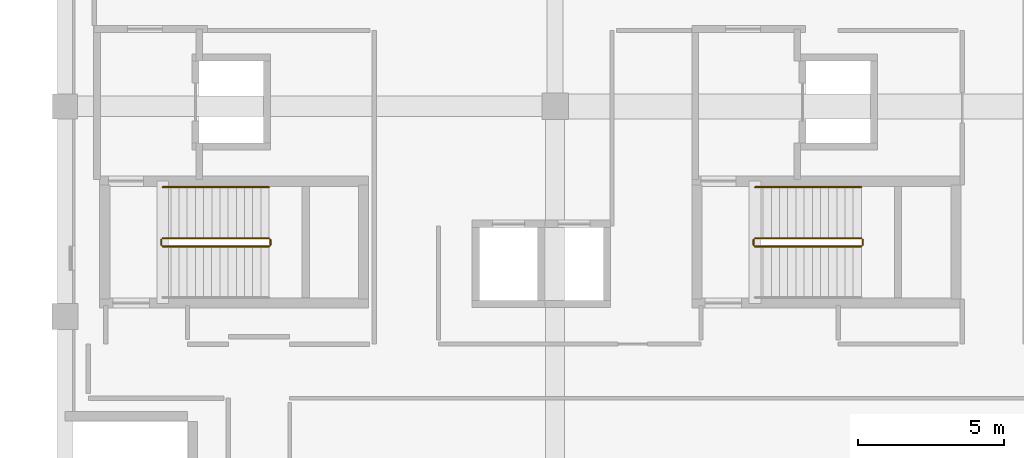
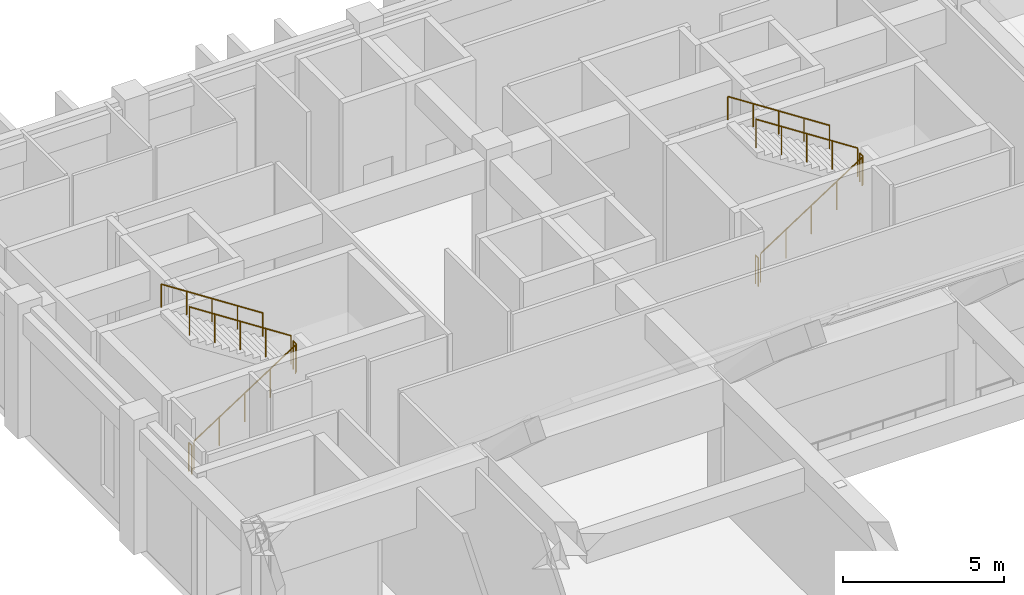
# One storey, part 98 of 103: 10 railings.
"""IFC4 building model written with IfcOpenShell, lengths in metres."""

from ifc_helpers import new_model, si_unit, direction, frame, origin, origin_2d, place, context, subcontext, project, spatial, circle, extrude, material, type_object, element, save


model = new_model("IFC4")

# Units and contexts
model_context = context("Model", 3, precision=1e-05, world=origin(), true_north=direction((0.0, 1.0)))
body_context = subcontext(model_context, "Body", "Model", "MODEL_VIEW")
ifc_project = project(units=[si_unit("LENGTHUNIT", "METRE"), si_unit("AREAUNIT", "SQUARE_METRE"), si_unit("VOLUMEUNIT", "CUBIC_METRE"), si_unit("PLANEANGLEUNIT", "RADIAN"), si_unit("MASSUNIT", "GRAM", prefix="KILO")], contexts=[model_context])

# Site, building, storey
site_placement = place(None, origin())
site = spatial("IfcSite", under=ifc_project, at=site_placement, CompositionType="ELEMENT")
building_placement = place(site_placement, origin())
building = spatial("IfcBuilding", under=site, at=building_placement, Name="Quendrovan Civic Courthouse", CompositionType="ELEMENT")
storey_placement = place(building_placement, frame((0.0, 0.0, 15.300048828125)))
storey = spatial("IfcBuildingStorey", under=building, at=storey_placement, Name="L04", CompositionType="ELEMENT", Elevation=15.300048828125)

# Railings
ifc_material_1 = material(Name="Painted galvanized steel", Category="steel")
railing_type_1 = type_object("IfcRailingType", Name="RL-STR-GUARD1100", PredefinedType="GUARDRAIL", material=ifc_material_1)
railing_1_placement = place(storey_placement, frame((36.949951171875, 97.199951171875, 0.18212890625)))
element("IfcRailing", 1, at=railing_1_placement, inside=storey, type_object=railing_type_1, Name="L04 ST1 stair guard 1", PredefinedType="GUARDRAIL", context=body_context, shape_type="SweptSolid", body=[
    extrude(circle(Radius=0.02392578125, at=origin_2d()), frame((0.0, 0.0, 1.076171875), z_axis=(0.83825089185, 0.0, 0.545284735081), x_axis=(0.0, 1.0, 0.0)), (0.0, 0.0, 1.0), 4.342529296875),
    extrude(circle(Radius=0.02099609375, at=origin_2d()), origin(), (0.0, 0.0, 1.0), 1.052001953125),
    extrude(circle(Radius=0.02099609375, at=origin_2d()), frame((0.91015625, 0.0, 0.592041015625)), (0.0, 0.0, 1.0), 1.052001953125),
    extrude(circle(Radius=0.02099609375, at=origin_2d()), frame((1.820068359375, 0.0, 1.18408203125)), (0.0, 0.0, 1.0), 1.052001953125),
    extrude(circle(Radius=0.02099609375, at=origin_2d()), frame((2.72998046875, 0.0, 1.77587890625)), (0.0, 0.0, 1.0), 1.052001953125),
    extrude(circle(Radius=0.02099609375, at=origin_2d()), frame((3.64013671875, 0.0, 2.367919921875)), (0.0, 0.0, 1.0), 1.052001953125),
])
railing_2_placement = place(storey_placement, frame((40.639892578125, 97.25, 2.550048828125)))
element("IfcRailing", 2, at=railing_2_placement, inside=storey, type_object=railing_type_1, Name="L04 ST1 stair guard 2", PredefinedType="GUARDRAIL", context=body_context, shape_type="SweptSolid", body=[
    extrude(circle(Radius=0.02392578125, at=origin_2d()), frame((0.0, 0.0, 1.076171875), z_axis=(0.0, 1.0, 0.0), x_axis=(-1.0, 0.0, 0.0)), (0.0, 0.0, 1.0), 0.179931640625),
    extrude(circle(Radius=0.02099609375, at=origin_2d()), origin(), (0.0, 0.0, 1.0), 1.052001953125),
    extrude(circle(Radius=0.02099609375, at=origin_2d()), frame((0.0, 0.179931640625, 0.0)), (0.0, 0.0, 1.0), 1.052001953125),
])
railing_3_placement = place(storey_placement, frame((40.590087890625, 97.47998046875, 2.732177734375)))
element("IfcRailing", 3, at=railing_3_placement, inside=storey, type_object=railing_type_1, Name="L04 ST1 stair guard 3", PredefinedType="GUARDRAIL", context=body_context, shape_type="SweptSolid", body=[
    extrude(circle(Radius=0.02392578125, at=origin_2d()), frame((0.0, 0.0, 1.076171875), z_axis=(-0.838276589377, 0.0, 0.545245228959), x_axis=(0.0, -1.0, 0.0)), (0.0, 0.0, 1.0), 4.34228515625),
    extrude(circle(Radius=0.02099609375, at=origin_2d()), origin(), (0.0, 0.0, 1.0), 1.052001953125),
    extrude(circle(Radius=0.02099609375, at=origin_2d()), frame((-0.91015625, 0.0, 0.591796875)), (0.0, 0.0, 1.0), 1.052001953125),
    extrude(circle(Radius=0.02099609375, at=origin_2d()), frame((-1.820068359375, 0.0, 1.183837890625)), (0.0, 0.0, 1.0), 1.052001953125),
    extrude(circle(Radius=0.02099609375, at=origin_2d()), frame((-2.72998046875, 0.0, 1.77587890625)), (0.0, 0.0, 1.0), 1.052001953125),
    extrude(circle(Radius=0.02099609375, at=origin_2d()), frame((-3.64013671875, 0.0, 2.36767578125)), (0.0, 0.0, 1.0), 1.052001953125),
])
railing_4_placement = place(storey_placement, frame((36.89990234375, 97.25, 0.0)))
element("IfcRailing", 4, at=railing_4_placement, inside=storey, type_object=railing_type_1, Name="L04 ST1 stair guard 4", PredefinedType="GUARDRAIL", context=body_context, shape_type="SweptSolid", body=[
    extrude(circle(Radius=0.02392578125, at=origin_2d()), frame((0.0, 0.0, 1.076171875), z_axis=(0.0, 1.0, 0.0), x_axis=(-1.0, 0.0, 0.0)), (0.0, 0.0, 1.0), 0.179931640625),
    extrude(circle(Radius=0.02099609375, at=origin_2d()), origin(), (0.0, 0.0, 1.0), 1.052001953125),
    extrude(circle(Radius=0.02099609375, at=origin_2d()), frame((0.0, 0.179931640625, 0.0)), (0.0, 0.0, 1.0), 1.052001953125),
])
railing_5_placement = place(storey_placement, frame((57.25, 97.199951171875, 0.18212890625)))
element("IfcRailing", 5, at=railing_5_placement, inside=storey, type_object=railing_type_1, Name="L04 ST2 stair guard 1", PredefinedType="GUARDRAIL", context=body_context, shape_type="SweptSolid", body=[
    extrude(circle(Radius=0.02392578125, at=origin_2d()), frame((0.0, 0.0, 1.076171875), z_axis=(0.838234174257, 0.0, 0.545310433706), x_axis=(0.0, 1.0, 0.0)), (0.0, 0.0, 1.0), 4.34228515625),
    extrude(circle(Radius=0.02099609375, at=origin_2d()), origin(), (0.0, 0.0, 1.0), 1.052001953125),
    extrude(circle(Radius=0.02099609375, at=origin_2d()), frame((0.909912109375, 0.0, 0.592041015625)), (0.0, 0.0, 1.0), 1.052001953125),
    extrude(circle(Radius=0.02099609375, at=origin_2d()), frame((1.81982421875, 0.0, 1.18408203125)), (0.0, 0.0, 1.0), 1.052001953125),
    extrude(circle(Radius=0.02099609375, at=origin_2d()), frame((2.72998046875, 0.0, 1.77587890625)), (0.0, 0.0, 1.0), 1.052001953125),
    extrude(circle(Radius=0.02099609375, at=origin_2d()), frame((3.639892578125, 0.0, 2.367919921875)), (0.0, 0.0, 1.0), 1.052001953125),
])
railing_6_placement = place(storey_placement, frame((60.93994140625, 97.25, 2.550048828125)))
element("IfcRailing", 6, at=railing_6_placement, inside=storey, type_object=railing_type_1, Name="L04 ST2 stair guard 2", PredefinedType="GUARDRAIL", context=body_context, shape_type="SweptSolid", body=[
    extrude(circle(Radius=0.02392578125, at=origin_2d()), frame((0.0, 0.0, 1.076171875), z_axis=(0.0, 1.0, 0.0), x_axis=(-1.0, 0.0, 0.0)), (0.0, 0.0, 1.0), 0.179931640625),
    extrude(circle(Radius=0.02099609375, at=origin_2d()), origin(), (0.0, 0.0, 1.0), 1.052001953125),
    extrude(circle(Radius=0.02099609375, at=origin_2d()), frame((0.0, 0.179931640625, 0.0)), (0.0, 0.0, 1.0), 1.052001953125),
])
railing_7_placement = place(storey_placement, frame((60.889892578125, 97.47998046875, 2.732177734375)))
element("IfcRailing", 7, at=railing_7_placement, inside=storey, type_object=railing_type_1, Name="L04 ST2 stair guard 3", PredefinedType="GUARDRAIL", context=body_context, shape_type="SweptSolid", body=[
    extrude(circle(Radius=0.02392578125, at=origin_2d()), frame((0.0, 0.0, 1.076171875), z_axis=(-0.838259873693, 0.0, 0.545270927297), x_axis=(0.0, -1.0, 0.0)), (0.0, 0.0, 1.0), 4.34228515625),
    extrude(circle(Radius=0.02099609375, at=origin_2d()), origin(), (0.0, 0.0, 1.0), 1.052001953125),
    extrude(circle(Radius=0.02099609375, at=origin_2d()), frame((-0.909912109375, 0.0, 0.591796875)), (0.0, 0.0, 1.0), 1.052001953125),
    extrude(circle(Radius=0.02099609375, at=origin_2d()), frame((-1.81982421875, 0.0, 1.183837890625)), (0.0, 0.0, 1.0), 1.052001953125),
    extrude(circle(Radius=0.02099609375, at=origin_2d()), frame((-2.72998046875, 0.0, 1.77587890625)), (0.0, 0.0, 1.0), 1.052001953125),
    extrude(circle(Radius=0.02099609375, at=origin_2d()), frame((-3.639892578125, 0.0, 2.36767578125)), (0.0, 0.0, 1.0), 1.052001953125),
])
railing_8_placement = place(storey_placement, frame((57.199951171875, 97.25, 0.0)))
element("IfcRailing", 8, at=railing_8_placement, inside=storey, type_object=railing_type_1, Name="L04 ST2 stair guard 4", PredefinedType="GUARDRAIL", context=body_context, shape_type="SweptSolid", body=[
    extrude(circle(Radius=0.02392578125, at=origin_2d()), frame((0.0, 0.0, 1.076171875), z_axis=(0.0, 1.0, 0.0), x_axis=(-1.0, 0.0, 0.0)), (0.0, 0.0, 1.0), 0.179931640625),
    extrude(circle(Radius=0.02099609375, at=origin_2d()), origin(), (0.0, 0.0, 1.0), 1.052001953125),
    extrude(circle(Radius=0.02099609375, at=origin_2d()), frame((0.0, 0.179931640625, 0.0)), (0.0, 0.0, 1.0), 1.052001953125),
])
ifc_material_2 = material(Name="Bronze anodised aluminium", Category="aluminium")
railing_type_2 = type_object("IfcRailingType", Name="RL-STR-HAND900", PredefinedType="HANDRAIL", material=ifc_material_2)
railing_9_placement = place(storey_placement, frame((40.590087890625, 99.22998046875, 2.732177734375)))
element("IfcRailing", 9, at=railing_9_placement, inside=storey, type_object=railing_type_2, Name="L04 ST1 stair handrail 2", PredefinedType="HANDRAIL", context=body_context, shape_type="SweptSolid", body=[
    extrude(circle(Radius=0.02392578125, at=origin_2d()), frame((0.0, 0.0, 0.8759765625), z_axis=(-0.838276589377, 0.0, 0.545245228959), x_axis=(0.0, -1.0, 0.0)), (0.0, 0.0, 1.0), 4.34228515625),
    extrude(circle(Radius=0.02099609375, at=origin_2d()), origin(), (0.0, 0.0, 1.0), 0.851806640625),
    extrude(circle(Radius=0.02099609375, at=origin_2d()), frame((-0.91015625, 0.0, 0.591796875)), (0.0, 0.0, 1.0), 0.851806640625),
    extrude(circle(Radius=0.02099609375, at=origin_2d()), frame((-1.820068359375, 0.0, 1.183837890625)), (0.0, 0.0, 1.0), 0.851806640625),
    extrude(circle(Radius=0.02099609375, at=origin_2d()), frame((-2.72998046875, 0.0, 1.77587890625)), (0.0, 0.0, 1.0), 0.851806640625),
    extrude(circle(Radius=0.02099609375, at=origin_2d()), frame((-3.64013671875, 0.0, 2.36767578125)), (0.0, 0.0, 1.0), 0.851806640625),
])
railing_10_placement = place(storey_placement, frame((60.889892578125, 99.22998046875, 2.732177734375)))
element("IfcRailing", 10, at=railing_10_placement, inside=storey, type_object=railing_type_2, Name="L04 ST2 stair handrail 2", PredefinedType="HANDRAIL", context=body_context, shape_type="SweptSolid", body=[
    extrude(circle(Radius=0.02392578125, at=origin_2d()), frame((0.0, 0.0, 0.8759765625), z_axis=(-0.838259873693, 0.0, 0.545270927297), x_axis=(0.0, -1.0, 0.0)), (0.0, 0.0, 1.0), 4.34228515625),
    extrude(circle(Radius=0.02099609375, at=origin_2d()), origin(), (0.0, 0.0, 1.0), 0.851806640625),
    extrude(circle(Radius=0.02099609375, at=origin_2d()), frame((-0.909912109375, 0.0, 0.591796875)), (0.0, 0.0, 1.0), 0.851806640625),
    extrude(circle(Radius=0.02099609375, at=origin_2d()), frame((-1.81982421875, 0.0, 1.183837890625)), (0.0, 0.0, 1.0), 0.851806640625),
    extrude(circle(Radius=0.02099609375, at=origin_2d()), frame((-2.72998046875, 0.0, 1.77587890625)), (0.0, 0.0, 1.0), 0.851806640625),
    extrude(circle(Radius=0.02099609375, at=origin_2d()), frame((-3.639892578125, 0.0, 2.36767578125)), (0.0, 0.0, 1.0), 0.851806640625),
])

save(model, "model.ifc")
